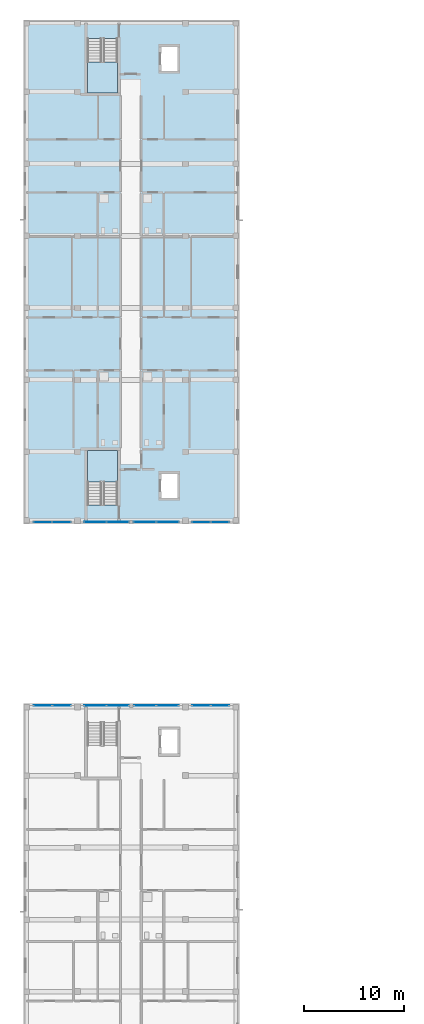
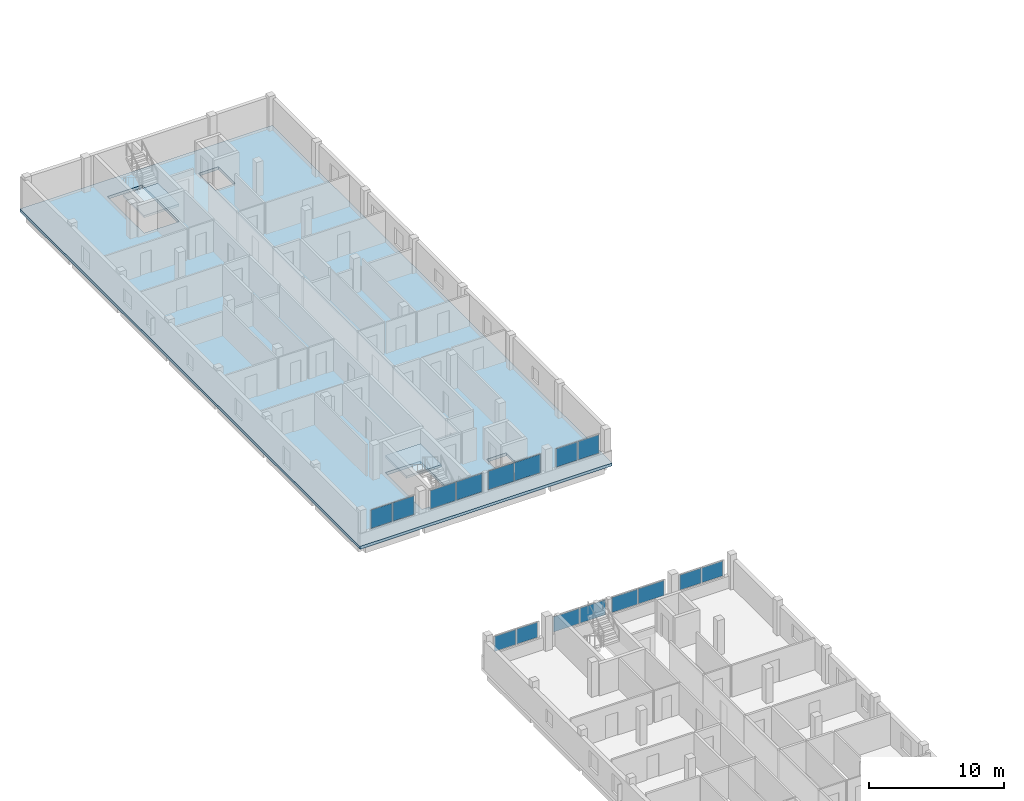
# One storey, part 10 of 38: 16 plates, 3 slabs, 10 elements without a shape of their own.
"""IFC4 building model written with IfcOpenShell, lengths in metres."""

from ifc_helpers import new_model, si_unit, derived_unit, direction, frame, origin, origin_2d, place, context, subcontext, project, spatial, polyline, rectangle, outline, extrude, material, layer, layer_set, type_object, element, aggregate, save


model = new_model("IFC4")

# Units and contexts
model_context = context("Model", 3, precision=1e-05, world=origin(), true_north=direction((0.0, 1.0)))
body_context = subcontext(model_context, "Body", "Model", "MODEL_VIEW")
ifc_project = project(units=[si_unit("LENGTHUNIT", "METRE"), si_unit("AREAUNIT", "SQUARE_METRE"), si_unit("VOLUMEUNIT", "CUBIC_METRE"), si_unit("PLANEANGLEUNIT", "RADIAN"), si_unit("MASSUNIT", "GRAM", prefix="KILO"), derived_unit("THERMALTRANSMITTANCEUNIT", [(si_unit("MASSUNIT", "GRAM", prefix="KILO"), 1), (si_unit("TIMEUNIT", "SECOND"), -3), (si_unit("THERMODYNAMICTEMPERATUREUNIT", "KELVIN"), -1)])], contexts=[model_context])

# Site, building, storey
site_placement = place(None, origin())
site = spatial("IfcSite", under=ifc_project, at=site_placement, CompositionType="ELEMENT")
building_placement = place(site_placement, origin())
building = spatial("IfcBuilding", under=site, at=building_placement, Name="Ochrekiln Boulevard Commons", CompositionType="ELEMENT")
storey_placement = place(building_placement, frame((0.0, 0.0, 24.675048828125)))
storey = spatial("IfcBuildingStorey", under=building, at=storey_placement, Name="L07", CompositionType="ELEMENT", Elevation=24.675048828125)

# Curtain wall, plates
ifc_material_1 = material(Name="Bronze-anodized extruded aluminium 6063-T6", Category="aluminium")
ifc_layer_1 = layer(ifc_material_1, 0.172119140625)
ifc_layer_set_1 = layer_set([ifc_layer_1], Name="Bronze-anodized extruded aluminium 6063-T6")
curtain_wall_type = type_object("IfcCurtainWallType", Name="CW-GABLE-A", PredefinedType="USERDEFINED", material=ifc_layer_set_1)
curtain_wall_1_placement = place(storey_placement, origin())
curtain_wall_1 = element("IfcCurtainWall", 1, at=curtain_wall_1_placement, inside=storey, type_object=curtain_wall_type, Name="Block A L07 Courtyard Glazed Gable Curtain Wall 4", ObjectType="GLAZED CURTAIN WALL", PredefinedType="USERDEFINED")
ifc_material_2 = material(Name="Spectrally selective low-E insulated glazing", Category="glass")
ifc_layer_2 = layer(ifc_material_2, 0.02392578125)
ifc_layer_set_2 = layer_set([ifc_layer_2], Name="Spectrally selective low-E insulated glazing")
plate_type_1 = type_object("IfcPlateType", Name="CWP-GLZ-1", PredefinedType="CURTAIN_PANEL", material=ifc_layer_set_2)
plate_1_placement = place(storey_placement, frame((17.788818359375, 68.56005859375, 1.1748046875), z_axis=(0.0, 0.0, 1.0), x_axis=(1.0, 0.0, 0.0)))
plate_1 = element("IfcPlate", 2, at=plate_1_placement, type_object=plate_type_1, Name="CW-01 panel 1.1", PredefinedType="CURTAIN_PANEL", context=body_context, shape_type="SweptSolid", body=[
    extrude(rectangle(XDim=1.8076171875, YDim=0.02392578125, at=origin_2d()), origin(), (0.0, 0.0, 1.0), 1.659912109375),
])
plate_2_placement = place(storey_placement, frame((19.6611328125, 68.56005859375, 1.1748046875), z_axis=(0.0, 0.0, 1.0), x_axis=(1.0, 0.0, 0.0)))
plate_2 = element("IfcPlate", 3, at=plate_2_placement, type_object=plate_type_1, Name="CW-01 panel 2.1", PredefinedType="CURTAIN_PANEL", context=body_context, shape_type="SweptSolid", body=[
    extrude(rectangle(XDim=1.8076171875, YDim=0.02392578125, at=origin_2d()), origin(), (0.0, 0.0, 1.0), 1.659912109375),
])
aggregate(curtain_wall_1, [plate_1, plate_2])

curtain_wall_2_placement = place(storey_placement, origin())
curtain_wall_2 = element("IfcCurtainWall", 4, at=curtain_wall_2_placement, inside=storey, type_object=curtain_wall_type, Name="Block D L07 Courtyard Glazed Gable Curtain Wall 4", ObjectType="GLAZED CURTAIN WALL", PredefinedType="USERDEFINED")
plate_3_placement = place(storey_placement, frame((17.788818359375, 50.217529296875, 1.1748046875), z_axis=(0.0, 0.0, 1.0), x_axis=(1.0, 0.0, 0.0)))
plate_3 = element("IfcPlate", 5, at=plate_3_placement, type_object=plate_type_1, Name="CW-01 panel 1.1", PredefinedType="CURTAIN_PANEL", context=body_context, shape_type="SweptSolid", body=[
    extrude(rectangle(XDim=1.8076171875, YDim=0.02392578125, at=origin_2d()), origin(), (0.0, 0.0, 1.0), 1.360107421875),
])
plate_4_placement = place(storey_placement, frame((19.6611328125, 50.217529296875, 1.1748046875), z_axis=(0.0, 0.0, 1.0), x_axis=(1.0, 0.0, 0.0)))
plate_4 = element("IfcPlate", 6, at=plate_4_placement, type_object=plate_type_1, Name="CW-01 panel 2.1", PredefinedType="CURTAIN_PANEL", context=body_context, shape_type="SweptSolid", body=[
    extrude(rectangle(XDim=1.8076171875, YDim=0.02392578125, at=origin_2d()), origin(), (0.0, 0.0, 1.0), 1.360107421875),
])
aggregate(curtain_wall_2, [plate_3, plate_4])

curtain_wall_3_placement = place(storey_placement, origin())
curtain_wall_3 = element("IfcCurtainWall", 7, at=curtain_wall_3_placement, inside=storey, type_object=curtain_wall_type, Name="Block A L07 Courtyard Glazed Gable Curtain Wall 1", ObjectType="GLAZED CURTAIN WALL", PredefinedType="USERDEFINED")
ifc_layer_3 = layer(ifc_material_2, 0.030029296875)
ifc_layer_set_3 = layer_set([ifc_layer_3], Name="Spectrally selective low-E insulated glazing")
plate_type_2 = type_object("IfcPlateType", Name="CWP-GLZ-2", PredefinedType="CURTAIN_PANEL", material=ifc_layer_set_3)
plate_5_placement = place(storey_placement, frame((1.9375, 68.56005859375, 1.169921875), z_axis=(0.0, 0.0, 1.0), x_axis=(1.0, 0.0, 0.0)))
plate_5 = element("IfcPlate", 8, at=plate_5_placement, type_object=plate_type_2, Name="CW-01 panel 1.1", PredefinedType="CURTAIN_PANEL", context=body_context, shape_type="SweptSolid", body=[
    extrude(rectangle(XDim=1.81494140625, YDim=0.030029296875, at=origin_2d()), origin(), (0.0, 0.0, 1.0), 1.669921875),
])
plate_6_placement = place(storey_placement, frame((3.8125, 68.56005859375, 1.169921875), z_axis=(0.0, 0.0, 1.0), x_axis=(1.0, 0.0, 0.0)))
plate_6 = element("IfcPlate", 9, at=plate_6_placement, type_object=plate_type_2, Name="CW-01 panel 2.1", PredefinedType="CURTAIN_PANEL", context=body_context, shape_type="SweptSolid", body=[
    extrude(rectangle(XDim=1.81494140625, YDim=0.030029296875, at=origin_2d()), origin(), (0.0, 0.0, 1.0), 1.669921875),
])
aggregate(curtain_wall_3, [plate_5, plate_6])

curtain_wall_4_placement = place(storey_placement, origin())
curtain_wall_4 = element("IfcCurtainWall", 10, at=curtain_wall_4_placement, inside=storey, type_object=curtain_wall_type, Name="Block D L07 Courtyard Glazed Gable Curtain Wall 1", ObjectType="GLAZED CURTAIN WALL", PredefinedType="USERDEFINED")
plate_7_placement = place(storey_placement, frame((1.938720703125, 50.217529296875, 1.1748046875), z_axis=(0.0, 0.0, 1.0), x_axis=(1.0, 0.0, 0.0)))
plate_7 = element("IfcPlate", 11, at=plate_7_placement, type_object=plate_type_2, Name="CW-01 panel 1.1", PredefinedType="CURTAIN_PANEL", context=body_context, shape_type="SweptSolid", body=[
    extrude(rectangle(XDim=1.8076171875, YDim=0.030029296875, at=origin_2d()), origin(), (0.0, 0.0, 1.0), 1.360107421875),
])
plate_8_placement = place(storey_placement, frame((3.811279296875, 50.217529296875, 1.1748046875), z_axis=(0.0, 0.0, 1.0), x_axis=(1.0, 0.0, 0.0)))
plate_8 = element("IfcPlate", 12, at=plate_8_placement, type_object=plate_type_2, Name="CW-01 panel 2.1", PredefinedType="CURTAIN_PANEL", context=body_context, shape_type="SweptSolid", body=[
    extrude(rectangle(XDim=1.8076171875, YDim=0.030029296875, at=origin_2d()), origin(), (0.0, 0.0, 1.0), 1.360107421875),
])
aggregate(curtain_wall_4, [plate_7, plate_8])

curtain_wall_5_placement = place(storey_placement, origin())
curtain_wall_5 = element("IfcCurtainWall", 13, at=curtain_wall_5_placement, inside=storey, type_object=curtain_wall_type, Name="Block A L07 Courtyard Glazed Gable Curtain Wall 2", ObjectType="GLAZED CURTAIN WALL", PredefinedType="USERDEFINED")
ifc_layer_4 = layer(ifc_material_2, 0.035888671875)
ifc_layer_set_4 = layer_set([ifc_layer_4], Name="Spectrally selective low-E insulated glazing")
plate_type_3 = type_object("IfcPlateType", Name="CWP-GLZ-3", PredefinedType="CURTAIN_PANEL", material=ifc_layer_set_4)
plate_9_placement = place(storey_placement, frame((7.18115234375, 68.56005859375, 1.1748046875), z_axis=(0.0, 0.0, 1.0), x_axis=(1.0, 0.0, 0.0)))
plate_9 = element("IfcPlate", 14, at=plate_9_placement, type_object=plate_type_3, Name="CW-01 panel 1.1", PredefinedType="CURTAIN_PANEL", context=body_context, shape_type="SweptSolid", body=[
    extrude(rectangle(XDim=2.1923828125, YDim=0.035888671875, at=origin_2d()), origin(), (0.0, 0.0, 1.0), 1.659912109375),
])
plate_10_placement = place(storey_placement, frame((9.438720703125, 68.56005859375, 1.1748046875), z_axis=(0.0, 0.0, 1.0), x_axis=(1.0, 0.0, 0.0)))
plate_10 = element("IfcPlate", 15, at=plate_10_placement, type_object=plate_type_3, Name="CW-01 panel 2.1", PredefinedType="CURTAIN_PANEL", context=body_context, shape_type="SweptSolid", body=[
    extrude(rectangle(XDim=2.1923828125, YDim=0.035888671875, at=origin_2d()), origin(), (0.0, 0.0, 1.0), 1.659912109375),
])
aggregate(curtain_wall_5, [plate_9, plate_10])

curtain_wall_6_placement = place(storey_placement, origin())
curtain_wall_6 = element("IfcCurtainWall", 16, at=curtain_wall_6_placement, inside=storey, type_object=curtain_wall_type, Name="Block D L07 Courtyard Glazed Gable Curtain Wall 2", ObjectType="GLAZED CURTAIN WALL", PredefinedType="USERDEFINED")
plate_11_placement = place(storey_placement, frame((7.18115234375, 50.217529296875, 1.1748046875), z_axis=(0.0, 0.0, 1.0), x_axis=(1.0, 0.0, 0.0)))
plate_11 = element("IfcPlate", 17, at=plate_11_placement, type_object=plate_type_3, Name="CW-01 panel 1.1", PredefinedType="CURTAIN_PANEL", context=body_context, shape_type="SweptSolid", body=[
    extrude(rectangle(XDim=2.1923828125, YDim=0.035888671875, at=origin_2d()), origin(), (0.0, 0.0, 1.0), 1.360107421875),
])
plate_12_placement = place(storey_placement, frame((9.438720703125, 50.217529296875, 1.1748046875), z_axis=(0.0, 0.0, 1.0), x_axis=(1.0, 0.0, 0.0)))
plate_12 = element("IfcPlate", 18, at=plate_12_placement, type_object=plate_type_3, Name="CW-01 panel 2.1", PredefinedType="CURTAIN_PANEL", context=body_context, shape_type="SweptSolid", body=[
    extrude(rectangle(XDim=2.1923828125, YDim=0.035888671875, at=origin_2d()), origin(), (0.0, 0.0, 1.0), 1.360107421875),
])
aggregate(curtain_wall_6, [plate_11, plate_12])

curtain_wall_7_placement = place(storey_placement, origin())
curtain_wall_7 = element("IfcCurtainWall", 19, at=curtain_wall_7_placement, inside=storey, type_object=curtain_wall_type, Name="Block A L07 Courtyard Glazed Gable Curtain Wall 3", ObjectType="GLAZED CURTAIN WALL", PredefinedType="USERDEFINED")
ifc_layer_5 = layer(ifc_material_2, 0.0419921875)
ifc_layer_set_5 = layer_set([ifc_layer_5], Name="Spectrally selective low-E insulated glazing")
plate_type_4 = type_object("IfcPlateType", Name="CWP-GLZ-4", PredefinedType="CURTAIN_PANEL", material=ifc_layer_set_5)
plate_13_placement = place(storey_placement, frame((12.159912109375, 68.56005859375, 1.169921875), z_axis=(0.0, 0.0, 1.0), x_axis=(1.0, 0.0, 0.0)))
plate_13 = element("IfcPlate", 20, at=plate_13_placement, type_object=plate_type_4, Name="CW-01 panel 1.1", PredefinedType="CURTAIN_PANEL", context=body_context, shape_type="SweptSolid", body=[
    extrude(rectangle(XDim=2.199951171875, YDim=0.0419921875, at=origin_2d()), origin(), (0.0, 0.0, 1.0), 1.669921875),
])
plate_14_placement = place(storey_placement, frame((14.419921875, 68.56005859375, 1.169921875), z_axis=(0.0, 0.0, 1.0), x_axis=(1.0, 0.0, 0.0)))
plate_14 = element("IfcPlate", 21, at=plate_14_placement, type_object=plate_type_4, Name="CW-01 panel 2.1", PredefinedType="CURTAIN_PANEL", context=body_context, shape_type="SweptSolid", body=[
    extrude(rectangle(XDim=2.199951171875, YDim=0.0419921875, at=origin_2d()), origin(), (0.0, 0.0, 1.0), 1.669921875),
])
aggregate(curtain_wall_7, [plate_13, plate_14])

curtain_wall_8_placement = place(storey_placement, origin())
curtain_wall_8 = element("IfcCurtainWall", 22, at=curtain_wall_8_placement, inside=storey, type_object=curtain_wall_type, Name="Block D L07 Courtyard Glazed Gable Curtain Wall 3", ObjectType="GLAZED CURTAIN WALL", PredefinedType="USERDEFINED")
plate_15_placement = place(storey_placement, frame((12.1611328125, 50.217529296875, 1.1748046875), z_axis=(0.0, 0.0, 1.0), x_axis=(1.0, 0.0, 0.0)))
plate_15 = element("IfcPlate", 23, at=plate_15_placement, type_object=plate_type_4, Name="CW-01 panel 1.1", PredefinedType="CURTAIN_PANEL", context=body_context, shape_type="SweptSolid", body=[
    extrude(rectangle(XDim=2.1923828125, YDim=0.0419921875, at=origin_2d()), origin(), (0.0, 0.0, 1.0), 1.360107421875),
])
plate_16_placement = place(storey_placement, frame((14.418701171875, 50.217529296875, 1.1748046875), z_axis=(0.0, 0.0, 1.0), x_axis=(1.0, 0.0, 0.0)))
plate_16 = element("IfcPlate", 24, at=plate_16_placement, type_object=plate_type_4, Name="CW-01 panel 2.1", PredefinedType="CURTAIN_PANEL", context=body_context, shape_type="SweptSolid", body=[
    extrude(rectangle(XDim=2.1923828125, YDim=0.0419921875, at=origin_2d()), origin(), (0.0, 0.0, 1.0), 1.360107421875),
])
aggregate(curtain_wall_8, [plate_15, plate_16])

# Stair, slab
ifc_material_3 = material(Name="Concrete C35/45", Category="concrete")
stair_type = type_object("IfcStairType", Name="STR-DL-315", PredefinedType="TWO_STRAIGHT_RUN_STAIR", material=ifc_material_3)
stair_1_placement = place(storey_placement, origin())
stair_1 = element("IfcStair", 25, at=stair_1_placement, inside=storey, type_object=stair_type, Name="L07 Enclosed Exit Stair ST-A1", PredefinedType="TWO_STRAIGHT_RUN_STAIR")
ifc_layer_6 = layer(ifc_material_3, 0.199951171875)
ifc_layer_set_6 = layer_set([ifc_layer_6], Name="Concrete C35/45")
slab_type_1 = type_object("IfcSlabType", Name="SLB-LND-200", PredefinedType="LANDING", material=ifc_layer_set_6)
slab_1_placement = place(storey_placement, frame((0.0, 0.0, 1.375)))
slab_1 = element("IfcSlab", 26, at=slab_1_placement, type_object=slab_type_1, Name="ST-A1 landing 1", PredefinedType="LANDING", context=body_context, shape_type="SweptSolid", body=[
    extrude(outline(polyline([(9.39990234375, 72.590087890625), (9.39990234375, 75.719970703125), (6.39990234375, 75.719970703125), (6.39990234375, 72.590087890625), (9.39990234375, 72.590087890625)])), origin(), (0.0, 0.0, 1.0), 0.199951171875),
])
aggregate(stair_1, [slab_1])

stair_2_placement = place(storey_placement, origin())
stair_2 = element("IfcStair", 27, at=stair_2_placement, inside=storey, type_object=stair_type, Name="L07 Enclosed Exit Stair ST-A2", PredefinedType="TWO_STRAIGHT_RUN_STAIR")
slab_2_placement = place(storey_placement, frame((0.0, 0.0, 1.375)))
slab_2 = element("IfcSlab", 28, at=slab_2_placement, type_object=slab_type_1, Name="ST-A2 landing 1", PredefinedType="LANDING", context=body_context, shape_type="SweptSolid", body=[
    extrude(outline(polyline([(6.39990234375, 114.610107421875), (6.39990234375, 111.47998046875), (9.39990234375, 111.47998046875), (9.39990234375, 114.610107421875), (6.39990234375, 114.610107421875)])), origin(), (0.0, 0.0, 1.0), 0.199951171875),
])
aggregate(stair_2, [slab_2])

# Slab
ifc_layer_7 = layer(ifc_material_3, 0.260009765625)
ifc_layer_set_7 = layer_set([ifc_layer_7], Name="Concrete C35/45")
slab_type_2 = type_object("IfcSlabType", Name="SLB-RES-260", PredefinedType="FLOOR", material=ifc_layer_set_7)
slab_3_placement = place(storey_placement, frame((0.0, 0.0, -0.260009765625)))
element("IfcSlab", 29, at=slab_3_placement, inside=storey, type_object=slab_type_2, Name="Block A L07 Reinforced Concrete Floor Slab", PredefinedType="FLOOR", context=body_context, shape_type="SweptSolid", body=[
    extrude(outline(polyline([(0.0, 68.39990234375), (21.60009765625, 68.39990234375), (21.60009765625, 118.800048828125), (0.0, 118.800048828125), (0.0, 68.39990234375)]), holes=[polyline([(9.39990234375, 70.2705078125), (9.39990234375, 75.719970703125), (6.39990234375, 75.719970703125), (6.39990234375, 70.2705078125), (9.39990234375, 70.2705078125)]), polyline([(6.39990234375, 116.929443359375), (6.39990234375, 111.47998046875), (9.39990234375, 111.47998046875), (9.39990234375, 116.929443359375), (6.39990234375, 116.929443359375)]), polyline([(13.75, 70.949951171875), (15.449951171875, 70.949951171875), (15.449951171875, 73.449951171875), (13.75, 73.449951171875), (13.75, 70.949951171875)]), polyline([(13.75, 113.64990234375), (15.449951171875, 113.64990234375), (15.449951171875, 116.14990234375), (13.75, 116.14990234375), (13.75, 113.64990234375)])]), origin(), (0.0, 0.0, 1.0), 0.260009765625),
])

save(model, "model.ifc")
